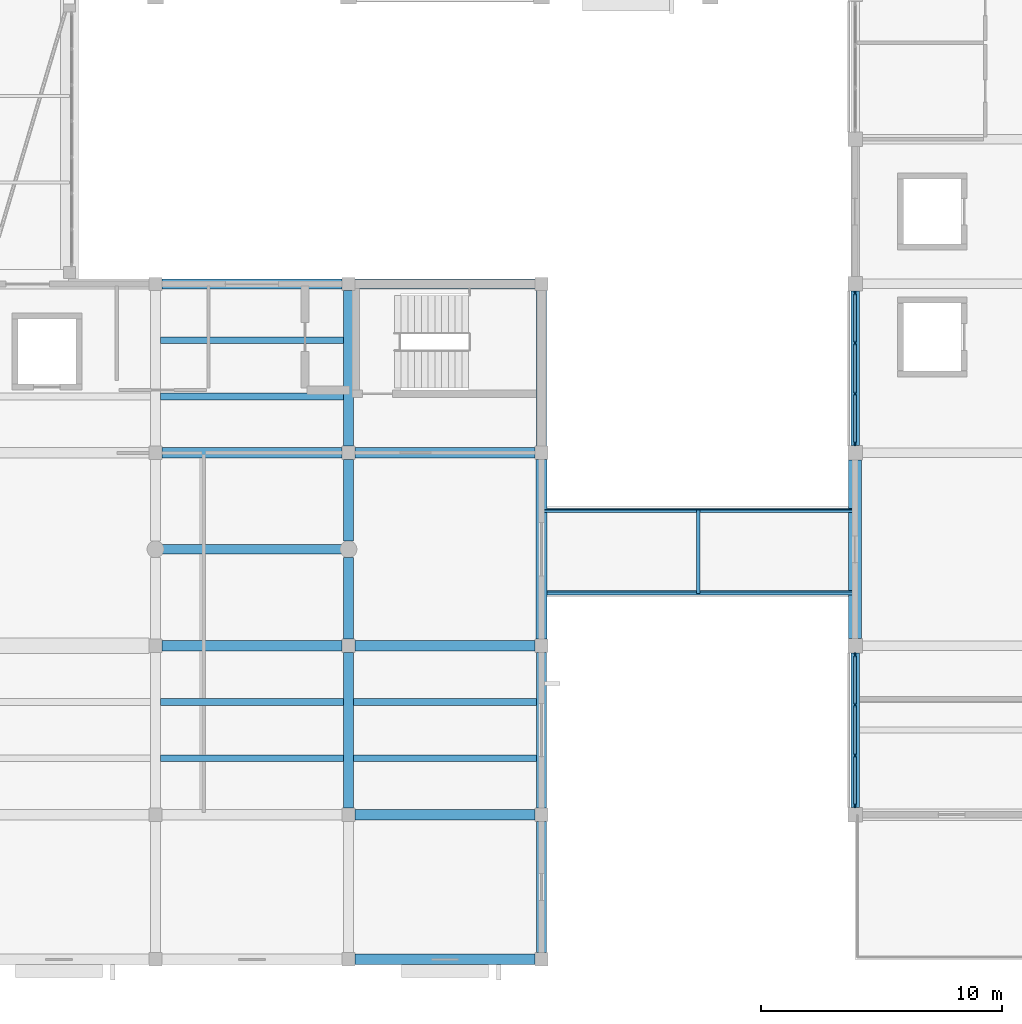
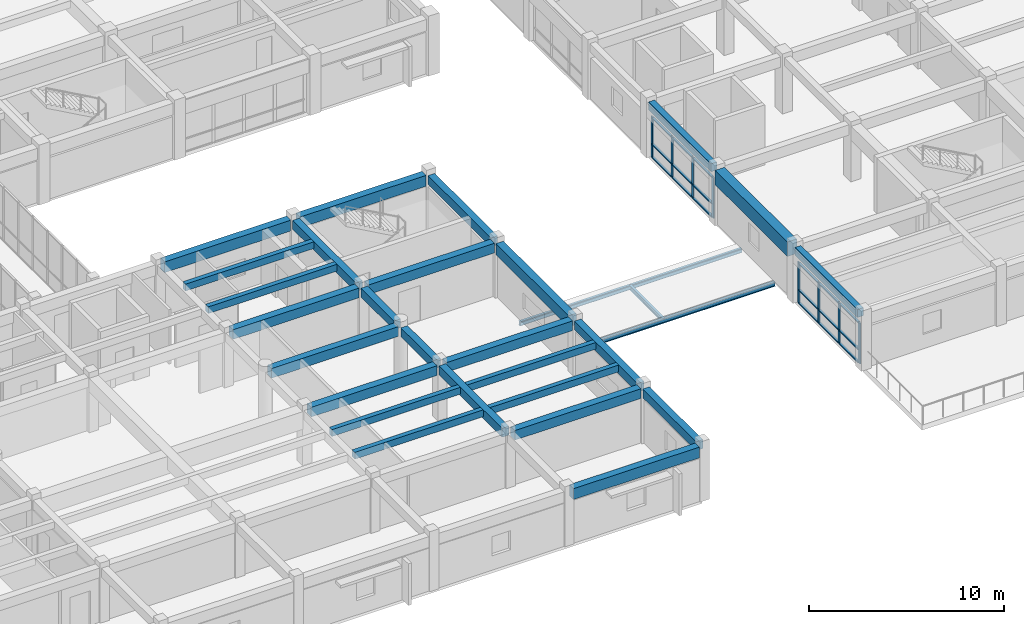
# One storey, part 7 of 42: 29 beams, 28 members, 2 elements without a shape of their own.
"""IFC4 building model written with IfcOpenShell, lengths in metres."""

from ifc_helpers import new_model, si_unit, direction, frame, origin, origin_2d, place, context, subcontext, project, spatial, rectangle, hollow_rectangle, i_section, extrude, material, layer, layer_set, material_profile, profile_set, type_object, element, aggregate, save


model = new_model("IFC4")

# Units and contexts
model_context = context("Model", 3, precision=1e-05, world=origin(), true_north=direction((0.0, 1.0)))
body_context = subcontext(model_context, "Body", "Model", "MODEL_VIEW")
ifc_project = project(units=[si_unit("LENGTHUNIT", "METRE"), si_unit("AREAUNIT", "SQUARE_METRE"), si_unit("VOLUMEUNIT", "CUBIC_METRE"), si_unit("PLANEANGLEUNIT", "RADIAN"), si_unit("MASSUNIT", "GRAM", prefix="KILO")], contexts=[model_context])

# Site, building, storey
site_placement = place(None, origin())
site = spatial("IfcSite", under=ifc_project, at=site_placement, CompositionType="ELEMENT")
building_placement = place(site_placement, origin())
building = spatial("IfcBuilding", under=site, at=building_placement, Name="Naurynzar Civic Courthouse", CompositionType="ELEMENT")
storey_placement = place(building_placement, frame((0.0, 0.0, 18.300048828125)))
storey = spatial("IfcBuildingStorey", under=building, at=storey_placement, Name="L05", CompositionType="ELEMENT", Elevation=18.300048828125)

# Beams
ifc_material_1 = material(Name="Concrete C40/50", Category="concrete")
ifc_material_profile_1 = material_profile(ifc_material_1, rectangle(XDim=0.27490234375, YDim=0.425048828125, at=origin_2d()), Name="RCB 275x425")
ifc_profile_set_1 = profile_set([ifc_material_profile_1], Name="Concrete C40/50")
beam_type_1 = type_object("IfcBeamType", Name="BM-JST-275x425", PredefinedType="JOIST", material=ifc_profile_set_1)
for number, where, z_axis, x_axis, name in (
    (1, (101.199951171875, 12.333251953125, 3.197509765625), (1.0, 0.0, 0.0), (0.0, 1.0, 0.0), "V3 secondary rib 1622 L05"),
    (2, (101.199951171875, 14.666748046875, 3.197509765625), (1.0, 0.0, 0.0), (0.0, 1.0, 0.0), "V3 secondary rib 1623 L05"),
    (3, (109.199951171875, 12.333251953125, 3.197509765625), (1.0, 0.0, 0.0), (0.0, 1.0, 0.0), "V3 secondary rib 1624 L05"),
    (4, (109.199951171875, 14.666748046875, 3.197509765625), (1.0, 0.0, 0.0), (0.0, 1.0, 0.0), "V3 secondary rib 1625 L05"),
    (5, (101.199951171875, 27.333251953125, 3.197509765625), (1.0, 0.0, 0.0), (0.0, 1.0, 0.0), "V3 secondary rib 1629 L05"),
    (6, (101.199951171875, 29.666748046875, 3.197509765625), (1.0, 0.0, 0.0), (0.0, 1.0, 0.0), "V3 secondary rib 1630 L05"),
):
    element("IfcBeam", number, at=place(storey_placement, frame(where, z_axis=z_axis, x_axis=x_axis)), inside=storey, type_object=beam_type_1, Name=name, PredefinedType="JOIST", context=body_context, shape_type="SweptSolid", body=[
        extrude(rectangle(XDim=0.27490234375, YDim=0.425048828125, at=origin_2d()), origin(), (0.0, 0.0, 1.0), 7.60009765625),
    ])
ifc_material_2 = material(Name="Concrete C40/50", Category="concrete")
ifc_material_profile_2 = material_profile(ifc_material_2, rectangle(XDim=0.39990234375, YDim=0.60009765625, at=origin_2d()), Name="RCL 400x600")
ifc_profile_set_2 = profile_set([ifc_material_profile_2], Name="Concrete C40/50")
beam_type_2 = type_object("IfcBeamType", Name="BM-LNT-400x600", PredefinedType="LINTEL", material=ifc_profile_set_2)
beam_1_placement = place(storey_placement, frame((101.25, 21.0, 3.10986328125), z_axis=(1.0, 0.0, 0.0), x_axis=(0.0, 1.0, 0.0)))
element("IfcBeam", 7, at=beam_1_placement, inside=storey, type_object=beam_type_2, Name="Law Library spine lintel beam 10", PredefinedType="LINTEL", context=body_context, shape_type="SweptSolid", body=[
    extrude(rectangle(XDim=0.39990234375, YDim=0.60009765625, at=origin_2d()), origin(), (0.0, 0.0, 1.0), 7.5),
])
ifc_material_3 = material(Name="Concrete C40/50", Category="concrete")
ifc_material_profile_3 = material_profile(ifc_material_3, rectangle(XDim=0.35009765625, YDim=0.5, at=origin_2d()), Name="RCB 350x500")
ifc_profile_set_3 = profile_set([ifc_material_profile_3], Name="Concrete C40/50")
beam_type_3 = type_object("IfcBeamType", Name="BM-RC-350x500", PredefinedType="BEAM", material=ifc_profile_set_3)
for number, where, z_axis, x_axis, name in (
    (8, (130.0, 10.300048828125, 3.219970703125), (0.0, 1.0, 0.0), (-1.0, 0.0, 0.0), "V5 girder Y-2663 L05"),
    (9, (130.0, 25.300048828125, 3.219970703125), (0.0, 1.0, 0.0), (-1.0, 0.0, 0.0), "V5 girder Y-2665 L05"),
):
    element("IfcBeam", number, at=place(storey_placement, frame(where, z_axis=z_axis, x_axis=x_axis)), inside=storey, type_object=beam_type_3, Name=name, PredefinedType="BEAM", context=body_context, shape_type="SweptSolid", body=[
        extrude(rectangle(XDim=0.35009765625, YDim=0.5, at=origin_2d()), origin(), (0.0, 0.0, 1.0), 6.39990234375),
    ])
ifc_material_4 = material(Name="Concrete C40/50", Category="concrete")
ifc_material_profile_4 = material_profile(ifc_material_4, rectangle(XDim=0.39990234375, YDim=0.550048828125, at=origin_2d()), Name="RCB 400x550")
ifc_profile_set_4 = profile_set([ifc_material_profile_4], Name="Concrete C40/50")
beam_type_4 = type_object("IfcBeamType", Name="BM-RC-400x550", PredefinedType="BEAM", material=ifc_profile_set_4)
beam_2_placement = place(storey_placement, frame((109.0, 10.27490234375, 3.135009765625), z_axis=(0.0, 1.0, 0.0), x_axis=(-1.0, 0.0, 0.0)))
element("IfcBeam", 10, at=beam_2_placement, inside=storey, type_object=beam_type_4, Name="V3 girder Y-1610 L05", PredefinedType="BEAM", context=body_context, shape_type="SweptSolid", body=[
    extrude(rectangle(XDim=0.39990234375, YDim=0.550048828125, at=origin_2d()), origin(), (0.0, 0.0, 1.0), 6.4501953125),
])
for number, where, z_axis, x_axis, name in (
    (11, (109.0, 17.27490234375, 3.135009765625), (0.0, 1.0, 0.0), (-1.0, 0.0, 0.0), "V3 girder Y-1611 L05"),
    (12, (109.0, 21.35009765625, 3.135009765625), (0.0, 1.0, 0.0), (-1.0, 0.0, 0.0), "V3 girder Y-1612 L05"),
):
    element("IfcBeam", number, at=place(storey_placement, frame(where, z_axis=z_axis, x_axis=x_axis)), inside=storey, type_object=beam_type_4, Name=name, PredefinedType="BEAM", context=body_context, shape_type="SweptSolid", body=[
        extrude(rectangle(XDim=0.39990234375, YDim=0.550048828125, at=origin_2d()), origin(), (0.0, 0.0, 1.0), 3.375),
    ])
beam_3_placement = place(storey_placement, frame((109.0, 25.27490234375, 3.135009765625), z_axis=(0.0, 1.0, 0.0), x_axis=(-1.0, 0.0, 0.0)))
element("IfcBeam", 13, at=beam_3_placement, inside=storey, type_object=beam_type_4, Name="V3 girder Y-1613 L05", PredefinedType="BEAM", context=body_context, shape_type="SweptSolid", body=[
    extrude(rectangle(XDim=0.39990234375, YDim=0.550048828125, at=origin_2d()), origin(), (0.0, 0.0, 1.0), 6.4501953125),
])
beam_4_placement = place(storey_placement, frame((117.0, 4.27490234375, 3.135009765625), z_axis=(0.0, 1.0, 0.0), x_axis=(-1.0, 0.0, 0.0)))
element("IfcBeam", 14, at=beam_4_placement, inside=storey, type_object=beam_type_4, Name="V3 girder Y-1614 L05", PredefinedType="BEAM", context=body_context, shape_type="SweptSolid", body=[
    extrude(rectangle(XDim=0.39990234375, YDim=0.550048828125, at=origin_2d()), origin(), (0.0, 0.0, 1.0), 5.4501953125),
])
for number, where, z_axis, x_axis, name in (
    (15, (117.0, 10.27490234375, 3.135009765625), (0.0, 1.0, 0.0), (-1.0, 0.0, 0.0), "V3 girder Y-1615 L05"),
    (16, (117.0, 25.27490234375, 3.135009765625), (0.0, 1.0, 0.0), (-1.0, 0.0, 0.0), "V3 girder Y-1617 L05"),
):
    element("IfcBeam", number, at=place(storey_placement, frame(where, z_axis=z_axis, x_axis=x_axis)), inside=storey, type_object=beam_type_4, Name=name, PredefinedType="BEAM", context=body_context, shape_type="SweptSolid", body=[
        extrude(rectangle(XDim=0.39990234375, YDim=0.550048828125, at=origin_2d()), origin(), (0.0, 0.0, 1.0), 6.4501953125),
    ])
ifc_material_5 = material(Name="Concrete C40/50", Category="concrete")
ifc_material_profile_5 = material_profile(ifc_material_5, rectangle(XDim=0.425048828125, YDim=0.60009765625, at=origin_2d()), Name="RCB 425x600")
ifc_profile_set_5 = profile_set([ifc_material_profile_5], Name="Concrete C40/50")
beam_type_5 = type_object("IfcBeamType", Name="BM-RC-425x600", PredefinedType="BEAM", material=ifc_profile_set_5)
for number, where, z_axis, x_axis, name in (
    (17, (109.27490234375, 10.0, 3.10986328125), (1.0, 0.0, 0.0), (0.0, 1.0, 0.0), "V3 beam X-1576 L05"),
    (18, (101.27490234375, 17.0, 3.10986328125), (1.0, 0.0, 0.0), (0.0, 1.0, 0.0), "V3 beam X-1579 L05"),
    (19, (109.27490234375, 17.0, 3.10986328125), (1.0, 0.0, 0.0), (0.0, 1.0, 0.0), "V3 beam X-1580 L05"),
    (20, (101.27490234375, 25.0, 3.10986328125), (1.0, 0.0, 0.0), (0.0, 1.0, 0.0), "V3 beam X-1584 L05"),
    (21, (109.27490234375, 25.0, 3.10986328125), (1.0, 0.0, 0.0), (0.0, 1.0, 0.0), "V3 beam X-1585 L05"),
):
    element("IfcBeam", number, at=place(storey_placement, frame(where, z_axis=z_axis, x_axis=x_axis)), inside=storey, type_object=beam_type_5, Name=name, PredefinedType="BEAM", context=body_context, shape_type="SweptSolid", body=[
        extrude(rectangle(XDim=0.425048828125, YDim=0.60009765625, at=origin_2d()), origin(), (0.0, 0.0, 1.0), 7.4501953125),
    ])
ifc_material_6 = material(Name="Concrete C40/50", Category="concrete")
ifc_material_profile_6 = material_profile(ifc_material_6, rectangle(XDim=0.425048828125, YDim=0.675048828125, at=origin_2d()), Name="RCB 425x675")
ifc_profile_set_6 = profile_set([ifc_material_profile_6], Name="Concrete C40/50")
beam_type_6 = type_object("IfcBeamType", Name="BM-RC-425x675", PredefinedType="SPANDREL", material=ifc_profile_set_6)
for number, where, z_axis, x_axis, name in (
    (22, (109.27490234375, 4.0, 3.072509765625), (1.0, 0.0, 0.0), (0.0, 1.0, 0.0), "V3 beam X-1571 L05"),
    (23, (101.27490234375, 32.0, 3.072509765625), (1.0, 0.0, 0.0), (0.0, 1.0, 0.0), "V3 beam X-1589 L05"),
    (24, (109.27490234375, 32.0, 3.072509765625), (1.0, 0.0, 0.0), (0.0, 1.0, 0.0), "V3 beam X-1590 L05"),
):
    element("IfcBeam", number, at=place(storey_placement, frame(where, z_axis=z_axis, x_axis=x_axis)), inside=storey, type_object=beam_type_6, Name=name, PredefinedType="SPANDREL", context=body_context, shape_type="SweptSolid", body=[
        extrude(rectangle(XDim=0.425048828125, YDim=0.675048828125, at=origin_2d()), origin(), (0.0, 0.0, 1.0), 7.4501953125),
    ])
ifc_material_7 = material(Name="Concrete C40/50", Category="concrete")
ifc_material_profile_7 = material_profile(ifc_material_7, rectangle(XDim=0.449951171875, YDim=0.699951171875, at=origin_2d()), Name="RCB 450x700")
ifc_profile_set_7 = profile_set([ifc_material_profile_7], Name="Concrete C40/50")
beam_type_7 = type_object("IfcBeamType", Name="BM-RC-450x700", PredefinedType="BEAM", material=ifc_profile_set_7)
beam_5_placement = place(storey_placement, frame((117.0, 17.27490234375, 3.06005859375), z_axis=(0.0, 1.0, 0.0), x_axis=(-1.0, 0.0, 0.0)))
element("IfcBeam", 25, at=beam_5_placement, inside=storey, type_object=beam_type_7, Name="V3 girder Y-1616 L05", PredefinedType="BEAM", context=body_context, shape_type="SweptSolid", body=[
    extrude(rectangle(XDim=0.449951171875, YDim=0.699951171875, at=origin_2d()), origin(), (0.0, 0.0, 1.0), 7.4501953125),
])
ifc_material_8 = material(Name="Concrete C40/50", Category="concrete")
ifc_material_profile_8 = material_profile(ifc_material_8, rectangle(XDim=0.550048828125, YDim=0.89990234375, at=origin_2d()), Name="RCB 550x900")
ifc_profile_set_8 = profile_set([ifc_material_profile_8], Name="Concrete C40/50")
beam_type_8 = type_object("IfcBeamType", Name="BM-RC-550x900", PredefinedType="T_BEAM", material=ifc_profile_set_8)
beam_6_placement = place(storey_placement, frame((130.0, 17.300048828125, 3.02001953125), z_axis=(0.0, 1.0, 0.0), x_axis=(-1.0, 0.0, 0.0)))
element("IfcBeam", 26, at=beam_6_placement, inside=storey, type_object=beam_type_8, Name="V5 girder Y-2664 L05", PredefinedType="T_BEAM", context=body_context, shape_type="SweptSolid", body=[
    extrude(rectangle(XDim=0.550048828125, YDim=0.89990234375, at=origin_2d()), origin(), (0.0, 0.0, 1.0), 7.39990234375),
])
ifc_material_9 = material(Name="Steel S355", Category="steel")
ifc_material_profile_9 = material_profile(ifc_material_9, i_section(OverallWidth=0.135009765625, OverallDepth=0.27001953125, WebThickness=0.006591796875, FlangeThickness=0.01025390625, FilletRadius=0.014892578125, at=origin_2d()), Name="IPE 270")
ifc_profile_set_9 = profile_set([ifc_material_profile_9], Name="Steel S355")
beam_type_9 = type_object("IfcBeamType", Name="BM-STL-IPE270", PredefinedType="BEAM", material=ifc_profile_set_9)
for number, where, z_axis, x_axis, name in (
    (27, (116.949951171875, 19.169921875, -0.364990234375), (1.0, 0.0, 0.0), (0.0, 1.0, 0.0), "BR-E2 roof edge beam 1"),
    (28, (116.949951171875, 22.6298828125, -0.364990234375), (1.0, 0.0, 0.0), (0.0, 1.0, 0.0), "BR-E2 roof edge beam 2"),
):
    element("IfcBeam", number, at=place(storey_placement, frame(where, z_axis=z_axis, x_axis=x_axis)), inside=storey, type_object=beam_type_9, Name=name, PredefinedType="BEAM", context=body_context, shape_type="SweptSolid", body=[
        extrude(i_section(OverallWidth=0.135009765625, OverallDepth=0.27001953125, WebThickness=0.006591796875, FlangeThickness=0.01025390625, FilletRadius=0.014892578125, at=origin_2d()), origin(), (0.0, 0.0, 1.0), 13.10009765625),
    ])
beam_7_placement = place(storey_placement, frame((123.5, 19.169921875, -0.364990234375), z_axis=(0.0, 1.0, 0.0), x_axis=(-1.0, 0.0, 0.0)))
element("IfcBeam", 29, at=beam_7_placement, inside=storey, type_object=beam_type_9, Name="BR-E2 roof cross-beam 1", PredefinedType="BEAM", context=body_context, shape_type="SweptSolid", body=[
    extrude(i_section(OverallWidth=0.135009765625, OverallDepth=0.27001953125, WebThickness=0.006591796875, FlangeThickness=0.01025390625, FilletRadius=0.014892578125, at=origin_2d()), origin(), (0.0, 0.0, 1.0), 3.4599609375),
])

# Curtain wall, members
ifc_material_10 = material(Name="Aluminium 6063-T6", Category="aluminium")
ifc_layer = layer(ifc_material_10, 0.159912109375)
ifc_layer_set = layer_set([ifc_layer], Name="CW-UNIT-1800")
curtain_wall_type = type_object("IfcCurtainWallType", Name="CW-UNIT-1800", PredefinedType="NOTDEFINED", material=ifc_layer_set)
curtain_wall_1_placement = place(storey_placement, origin())
curtain_wall_1 = element("IfcCurtainWall", 30, at=curtain_wall_1_placement, inside=storey, type_object=curtain_wall_type, Name="V5 unitised curtain wall 102 L05", PredefinedType="NOTDEFINED")
ifc_material_11 = material(Name="Aluminium 6063-T6", Category="aluminium")
ifc_material_profile_10 = material_profile(ifc_material_11, rectangle(XDim=0.070068359375, YDim=0.179931640625, at=origin_2d()), Name="ALU MULLION 70x180")
ifc_profile_set_10 = profile_set([ifc_material_profile_10], Name="Aluminium 6063-T6")
member_type_1 = type_object("IfcMemberType", Name="CWM-70x180", PredefinedType="MULLION", material=ifc_profile_set_10)
member_1_placement = place(storey_placement, frame((130.0, 10.385009765625, 0.0), z_axis=(0.0, 0.0, 1.0), x_axis=(-1.0, 0.0, 0.0)))
member_1 = element("IfcMember", 31, at=member_1_placement, type_object=member_type_1, Name="CW-02 mullion 1", PredefinedType="MULLION", context=body_context, shape_type="SweptSolid", body=[
    extrude(rectangle(XDim=0.070068359375, YDim=0.179931640625, at=origin_2d()), origin(), (0.0, 0.0, 1.0), 2.550048828125),
])
member_2_placement = place(storey_placement, frame((130.0, 12.449951171875, 0.0), z_axis=(0.0, 0.0, 1.0), x_axis=(-1.0, 0.0, 0.0)))
member_2 = element("IfcMember", 32, at=member_2_placement, type_object=member_type_1, Name="CW-02 mullion 2", PredefinedType="MULLION", context=body_context, shape_type="SweptSolid", body=[
    extrude(rectangle(XDim=0.070068359375, YDim=0.179931640625, at=origin_2d()), origin(), (0.0, 0.0, 1.0), 2.550048828125),
])
member_3_placement = place(storey_placement, frame((130.0, 14.550048828125, 0.0), z_axis=(0.0, 0.0, 1.0), x_axis=(-1.0, 0.0, 0.0)))
member_3 = element("IfcMember", 33, at=member_3_placement, type_object=member_type_1, Name="CW-02 mullion 3", PredefinedType="MULLION", context=body_context, shape_type="SweptSolid", body=[
    extrude(rectangle(XDim=0.070068359375, YDim=0.179931640625, at=origin_2d()), origin(), (0.0, 0.0, 1.0), 2.550048828125),
])
member_4_placement = place(storey_placement, frame((130.0, 16.614990234375, 0.0), z_axis=(0.0, 0.0, 1.0), x_axis=(-1.0, 0.0, 0.0)))
member_4 = element("IfcMember", 34, at=member_4_placement, type_object=member_type_1, Name="CW-02 mullion 4", PredefinedType="MULLION", context=body_context, shape_type="SweptSolid", body=[
    extrude(rectangle(XDim=0.070068359375, YDim=0.179931640625, at=origin_2d()), origin(), (0.0, 0.0, 1.0), 2.550048828125),
])

curtain_wall_2_placement = place(storey_placement, origin())
curtain_wall_2 = element("IfcCurtainWall", 35, at=curtain_wall_2_placement, inside=storey, type_object=curtain_wall_type, Name="V5 unitised curtain wall 103 L05", PredefinedType="NOTDEFINED")
member_5_placement = place(storey_placement, frame((130.0, 25.385009765625, 0.0), z_axis=(0.0, 0.0, 1.0), x_axis=(-1.0, 0.0, 0.0)))
member_5 = element("IfcMember", 36, at=member_5_placement, type_object=member_type_1, Name="CW-02 mullion 1", PredefinedType="MULLION", context=body_context, shape_type="SweptSolid", body=[
    extrude(rectangle(XDim=0.070068359375, YDim=0.179931640625, at=origin_2d()), origin(), (0.0, 0.0, 1.0), 2.550048828125),
])
member_6_placement = place(storey_placement, frame((130.0, 27.449951171875, 0.0), z_axis=(0.0, 0.0, 1.0), x_axis=(-1.0, 0.0, 0.0)))
member_6 = element("IfcMember", 37, at=member_6_placement, type_object=member_type_1, Name="CW-02 mullion 2", PredefinedType="MULLION", context=body_context, shape_type="SweptSolid", body=[
    extrude(rectangle(XDim=0.070068359375, YDim=0.179931640625, at=origin_2d()), origin(), (0.0, 0.0, 1.0), 2.550048828125),
])
member_7_placement = place(storey_placement, frame((130.0, 29.550048828125, 0.0), z_axis=(0.0, 0.0, 1.0), x_axis=(-1.0, 0.0, 0.0)))
member_7 = element("IfcMember", 38, at=member_7_placement, type_object=member_type_1, Name="CW-02 mullion 3", PredefinedType="MULLION", context=body_context, shape_type="SweptSolid", body=[
    extrude(rectangle(XDim=0.070068359375, YDim=0.179931640625, at=origin_2d()), origin(), (0.0, 0.0, 1.0), 2.550048828125),
])
member_8_placement = place(storey_placement, frame((130.0, 31.614990234375, 0.0), z_axis=(0.0, 0.0, 1.0), x_axis=(-1.0, 0.0, 0.0)))
member_8 = element("IfcMember", 39, at=member_8_placement, type_object=member_type_1, Name="CW-02 mullion 4", PredefinedType="MULLION", context=body_context, shape_type="SweptSolid", body=[
    extrude(rectangle(XDim=0.070068359375, YDim=0.179931640625, at=origin_2d()), origin(), (0.0, 0.0, 1.0), 2.550048828125),
])

# Member
ifc_material_12 = material(Name="Aluminium 6063-T6", Category="aluminium")
ifc_material_profile_11 = material_profile(ifc_material_12, rectangle(XDim=0.1298828125, YDim=0.070068359375, at=origin_2d()), Name="ALU TRANSOM 70x130")
ifc_profile_set_11 = profile_set([ifc_material_profile_11], Name="Aluminium 6063-T6")
member_type_2 = type_object("IfcMemberType", Name="CWT-70x130", PredefinedType="USERDEFINED", material=ifc_profile_set_11)
member_9_placement = place(storey_placement, frame((130.0, 10.419921875, 0.034912109375), z_axis=(0.0, 1.0, 0.0), x_axis=(-1.0, 0.0, 0.0)))
member_9 = element("IfcMember", 40, at=member_9_placement, type_object=member_type_2, Name="CW-02 transom 1.1", ObjectType="TRANSOM", PredefinedType="USERDEFINED", context=body_context, shape_type="SweptSolid", body=[
    extrude(rectangle(XDim=0.1298828125, YDim=0.070068359375, at=origin_2d()), origin(), (0.0, 0.0, 1.0), 1.9951171875),
])

member_10_placement = place(storey_placement, frame((130.0, 10.419921875, 0.849853515625), z_axis=(0.0, 1.0, 0.0), x_axis=(-1.0, 0.0, 0.0)))
member_10 = element("IfcMember", 41, at=member_10_placement, type_object=member_type_2, Name="CW-02 transom 1.2", ObjectType="TRANSOM", PredefinedType="USERDEFINED", context=body_context, shape_type="SweptSolid", body=[
    extrude(rectangle(XDim=0.1298828125, YDim=0.070068359375, at=origin_2d()), origin(), (0.0, 0.0, 1.0), 1.9951171875),
])

member_11_placement = place(storey_placement, frame((130.0, 10.419921875, 2.514892578125), z_axis=(0.0, 1.0, 0.0), x_axis=(-1.0, 0.0, 0.0)))
member_11 = element("IfcMember", 42, at=member_11_placement, type_object=member_type_2, Name="CW-02 transom 1.3", ObjectType="TRANSOM", PredefinedType="USERDEFINED", context=body_context, shape_type="SweptSolid", body=[
    extrude(rectangle(XDim=0.1298828125, YDim=0.070068359375, at=origin_2d()), origin(), (0.0, 0.0, 1.0), 1.9951171875),
])

member_12_placement = place(storey_placement, frame((130.0, 12.485107421875, 0.034912109375), z_axis=(0.0, 1.0, 0.0), x_axis=(-1.0, 0.0, 0.0)))
member_12 = element("IfcMember", 43, at=member_12_placement, type_object=member_type_2, Name="CW-02 transom 2.1", ObjectType="TRANSOM", PredefinedType="USERDEFINED", context=body_context, shape_type="SweptSolid", body=[
    extrude(rectangle(XDim=0.1298828125, YDim=0.070068359375, at=origin_2d()), origin(), (0.0, 0.0, 1.0), 2.02978515625),
])

member_13_placement = place(storey_placement, frame((130.0, 12.485107421875, 0.849853515625), z_axis=(0.0, 1.0, 0.0), x_axis=(-1.0, 0.0, 0.0)))
member_13 = element("IfcMember", 44, at=member_13_placement, type_object=member_type_2, Name="CW-02 transom 2.2", ObjectType="TRANSOM", PredefinedType="USERDEFINED", context=body_context, shape_type="SweptSolid", body=[
    extrude(rectangle(XDim=0.1298828125, YDim=0.070068359375, at=origin_2d()), origin(), (0.0, 0.0, 1.0), 2.02978515625),
])

member_14_placement = place(storey_placement, frame((130.0, 12.485107421875, 2.514892578125), z_axis=(0.0, 1.0, 0.0), x_axis=(-1.0, 0.0, 0.0)))
member_14 = element("IfcMember", 45, at=member_14_placement, type_object=member_type_2, Name="CW-02 transom 2.3", ObjectType="TRANSOM", PredefinedType="USERDEFINED", context=body_context, shape_type="SweptSolid", body=[
    extrude(rectangle(XDim=0.1298828125, YDim=0.070068359375, at=origin_2d()), origin(), (0.0, 0.0, 1.0), 2.02978515625),
])

member_15_placement = place(storey_placement, frame((130.0, 14.5849609375, 0.034912109375), z_axis=(0.0, 1.0, 0.0), x_axis=(-1.0, 0.0, 0.0)))
member_15 = element("IfcMember", 46, at=member_15_placement, type_object=member_type_2, Name="CW-02 transom 3.1", ObjectType="TRANSOM", PredefinedType="USERDEFINED", context=body_context, shape_type="SweptSolid", body=[
    extrude(rectangle(XDim=0.1298828125, YDim=0.070068359375, at=origin_2d()), origin(), (0.0, 0.0, 1.0), 1.9951171875),
])

member_16_placement = place(storey_placement, frame((130.0, 14.5849609375, 0.849853515625), z_axis=(0.0, 1.0, 0.0), x_axis=(-1.0, 0.0, 0.0)))
member_16 = element("IfcMember", 47, at=member_16_placement, type_object=member_type_2, Name="CW-02 transom 3.2", ObjectType="TRANSOM", PredefinedType="USERDEFINED", context=body_context, shape_type="SweptSolid", body=[
    extrude(rectangle(XDim=0.1298828125, YDim=0.070068359375, at=origin_2d()), origin(), (0.0, 0.0, 1.0), 1.9951171875),
])

member_17_placement = place(storey_placement, frame((130.0, 14.5849609375, 2.514892578125), z_axis=(0.0, 1.0, 0.0), x_axis=(-1.0, 0.0, 0.0)))
member_17 = element("IfcMember", 48, at=member_17_placement, type_object=member_type_2, Name="CW-02 transom 3.3", ObjectType="TRANSOM", PredefinedType="USERDEFINED", context=body_context, shape_type="SweptSolid", body=[
    extrude(rectangle(XDim=0.1298828125, YDim=0.070068359375, at=origin_2d()), origin(), (0.0, 0.0, 1.0), 1.9951171875),
])

aggregate(curtain_wall_1, [member_1, member_2, member_3, member_4, member_9, member_10, member_11, member_12, member_13, member_14, member_15, member_16, member_17])

member_18_placement = place(storey_placement, frame((130.0, 25.419921875, 0.034912109375), z_axis=(0.0, 1.0, 0.0), x_axis=(-1.0, 0.0, 0.0)))
member_18 = element("IfcMember", 49, at=member_18_placement, type_object=member_type_2, Name="CW-02 transom 1.1", ObjectType="TRANSOM", PredefinedType="USERDEFINED", context=body_context, shape_type="SweptSolid", body=[
    extrude(rectangle(XDim=0.1298828125, YDim=0.070068359375, at=origin_2d()), origin(), (0.0, 0.0, 1.0), 1.9951171875),
])

member_19_placement = place(storey_placement, frame((130.0, 25.419921875, 0.849853515625), z_axis=(0.0, 1.0, 0.0), x_axis=(-1.0, 0.0, 0.0)))
member_19 = element("IfcMember", 50, at=member_19_placement, type_object=member_type_2, Name="CW-02 transom 1.2", ObjectType="TRANSOM", PredefinedType="USERDEFINED", context=body_context, shape_type="SweptSolid", body=[
    extrude(rectangle(XDim=0.1298828125, YDim=0.070068359375, at=origin_2d()), origin(), (0.0, 0.0, 1.0), 1.9951171875),
])

member_20_placement = place(storey_placement, frame((130.0, 25.419921875, 2.514892578125), z_axis=(0.0, 1.0, 0.0), x_axis=(-1.0, 0.0, 0.0)))
member_20 = element("IfcMember", 51, at=member_20_placement, type_object=member_type_2, Name="CW-02 transom 1.3", ObjectType="TRANSOM", PredefinedType="USERDEFINED", context=body_context, shape_type="SweptSolid", body=[
    extrude(rectangle(XDim=0.1298828125, YDim=0.070068359375, at=origin_2d()), origin(), (0.0, 0.0, 1.0), 1.9951171875),
])

member_21_placement = place(storey_placement, frame((130.0, 27.485107421875, 0.034912109375), z_axis=(0.0, 1.0, 0.0), x_axis=(-1.0, 0.0, 0.0)))
member_21 = element("IfcMember", 52, at=member_21_placement, type_object=member_type_2, Name="CW-02 transom 2.1", ObjectType="TRANSOM", PredefinedType="USERDEFINED", context=body_context, shape_type="SweptSolid", body=[
    extrude(rectangle(XDim=0.1298828125, YDim=0.070068359375, at=origin_2d()), origin(), (0.0, 0.0, 1.0), 2.02978515625),
])

member_22_placement = place(storey_placement, frame((130.0, 27.485107421875, 0.849853515625), z_axis=(0.0, 1.0, 0.0), x_axis=(-1.0, 0.0, 0.0)))
member_22 = element("IfcMember", 53, at=member_22_placement, type_object=member_type_2, Name="CW-02 transom 2.2", ObjectType="TRANSOM", PredefinedType="USERDEFINED", context=body_context, shape_type="SweptSolid", body=[
    extrude(rectangle(XDim=0.1298828125, YDim=0.070068359375, at=origin_2d()), origin(), (0.0, 0.0, 1.0), 2.02978515625),
])

member_23_placement = place(storey_placement, frame((130.0, 27.485107421875, 2.514892578125), z_axis=(0.0, 1.0, 0.0), x_axis=(-1.0, 0.0, 0.0)))
member_23 = element("IfcMember", 54, at=member_23_placement, type_object=member_type_2, Name="CW-02 transom 2.3", ObjectType="TRANSOM", PredefinedType="USERDEFINED", context=body_context, shape_type="SweptSolid", body=[
    extrude(rectangle(XDim=0.1298828125, YDim=0.070068359375, at=origin_2d()), origin(), (0.0, 0.0, 1.0), 2.02978515625),
])

member_24_placement = place(storey_placement, frame((130.0, 29.5849609375, 0.034912109375), z_axis=(0.0, 1.0, 0.0), x_axis=(-1.0, 0.0, 0.0)))
member_24 = element("IfcMember", 55, at=member_24_placement, type_object=member_type_2, Name="CW-02 transom 3.1", ObjectType="TRANSOM", PredefinedType="USERDEFINED", context=body_context, shape_type="SweptSolid", body=[
    extrude(rectangle(XDim=0.1298828125, YDim=0.070068359375, at=origin_2d()), origin(), (0.0, 0.0, 1.0), 1.9951171875),
])

member_25_placement = place(storey_placement, frame((130.0, 29.5849609375, 0.849853515625), z_axis=(0.0, 1.0, 0.0), x_axis=(-1.0, 0.0, 0.0)))
member_25 = element("IfcMember", 56, at=member_25_placement, type_object=member_type_2, Name="CW-02 transom 3.2", ObjectType="TRANSOM", PredefinedType="USERDEFINED", context=body_context, shape_type="SweptSolid", body=[
    extrude(rectangle(XDim=0.1298828125, YDim=0.070068359375, at=origin_2d()), origin(), (0.0, 0.0, 1.0), 1.9951171875),
])

member_26_placement = place(storey_placement, frame((130.0, 29.5849609375, 2.514892578125), z_axis=(0.0, 1.0, 0.0), x_axis=(-1.0, 0.0, 0.0)))
member_26 = element("IfcMember", 57, at=member_26_placement, type_object=member_type_2, Name="CW-02 transom 3.3", ObjectType="TRANSOM", PredefinedType="USERDEFINED", context=body_context, shape_type="SweptSolid", body=[
    extrude(rectangle(XDim=0.1298828125, YDim=0.070068359375, at=origin_2d()), origin(), (0.0, 0.0, 1.0), 1.9951171875),
])

aggregate(curtain_wall_2, [member_5, member_6, member_7, member_8, member_18, member_19, member_20, member_21, member_22, member_23, member_24, member_25, member_26])

# Members
ifc_material_13 = material(Name="Steel S355", Category="steel")
ifc_material_profile_12 = material_profile(ifc_material_13, hollow_rectangle(XDim=0.1201171875, YDim=0.199951171875, WallThickness=0.008056640625, InnerFilletRadius=0.008056640625, OuterFilletRadius=0.01611328125, at=origin_2d()), Name="RHS 200x120x8")
ifc_profile_set_12 = profile_set([ifc_material_profile_12], Name="Steel S355")
member_type_3 = type_object("IfcMemberType", Name="MEM-CHORD-RHS200", PredefinedType="CHORD", material=ifc_profile_set_12)
member_27_placement = place(storey_placement, frame((116.949951171875, 22.580078125, -0.35498046875), z_axis=(1.0, 0.0, 0.0), x_axis=(0.0, 1.0, 0.0)))
element("IfcMember", 58, at=member_27_placement, inside=storey, type_object=member_type_3, Name="BR-E2 roof chord 2", PredefinedType="CHORD", context=body_context, shape_type="SweptSolid", body=[
    extrude(hollow_rectangle(XDim=0.1201171875, YDim=0.199951171875, WallThickness=0.008056640625, InnerFilletRadius=0.008056640625, OuterFilletRadius=0.01611328125, at=origin_2d()), origin(), (0.0, 0.0, 1.0), 13.10009765625),
])
ifc_material_14 = material(Name="Steel S355", Category="steel")
ifc_material_profile_13 = material_profile(ifc_material_14, hollow_rectangle(XDim=0.14990234375, YDim=0.25, WallThickness=0.010009765625, InnerFilletRadius=0.010009765625, OuterFilletRadius=0.02001953125, at=origin_2d()), Name="RHS 250x150x10")
ifc_profile_set_13 = profile_set([ifc_material_profile_13], Name="Steel S355")
member_type_4 = type_object("IfcMemberType", Name="MEM-CHORD-RHS250", PredefinedType="CHORD", material=ifc_profile_set_13)
member_28_placement = place(storey_placement, frame((116.949951171875, 19.219970703125, -0.35498046875), z_axis=(1.0, 0.0, 0.0), x_axis=(0.0, 1.0, 0.0)))
element("IfcMember", 59, at=member_28_placement, inside=storey, type_object=member_type_4, Name="BR-E2 roof chord 1", PredefinedType="CHORD", context=body_context, shape_type="SweptSolid", body=[
    extrude(hollow_rectangle(XDim=0.14990234375, YDim=0.25, WallThickness=0.010009765625, InnerFilletRadius=0.010009765625, OuterFilletRadius=0.02001953125, at=origin_2d()), origin(), (0.0, 0.0, 1.0), 13.10009765625),
])

save(model, "model.ifc")
